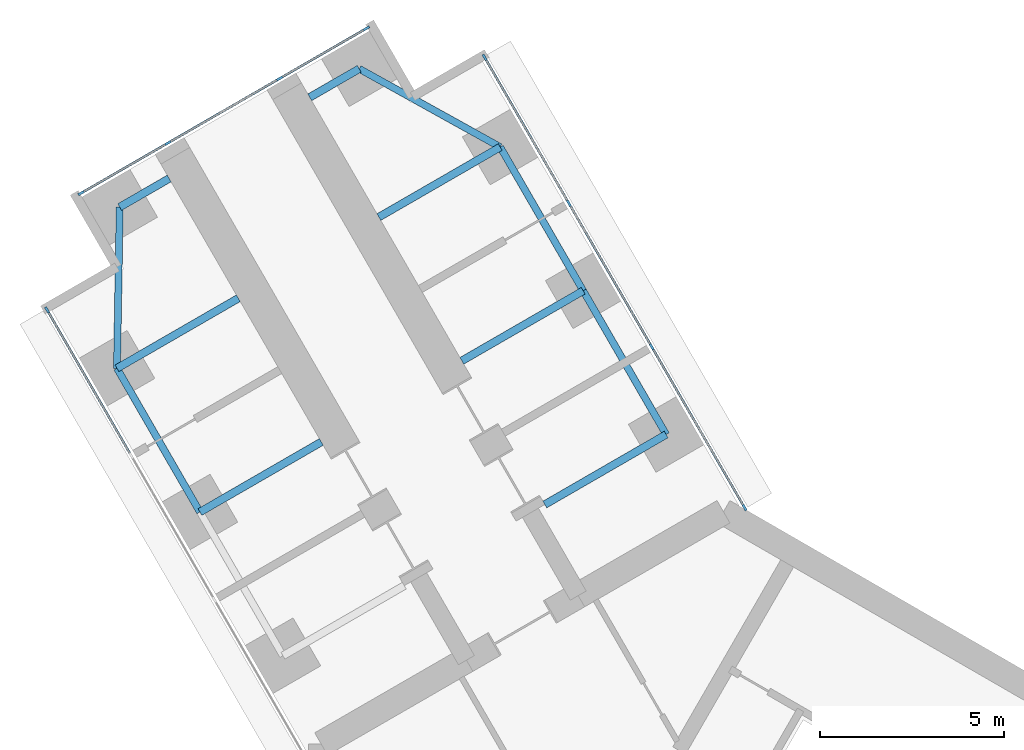
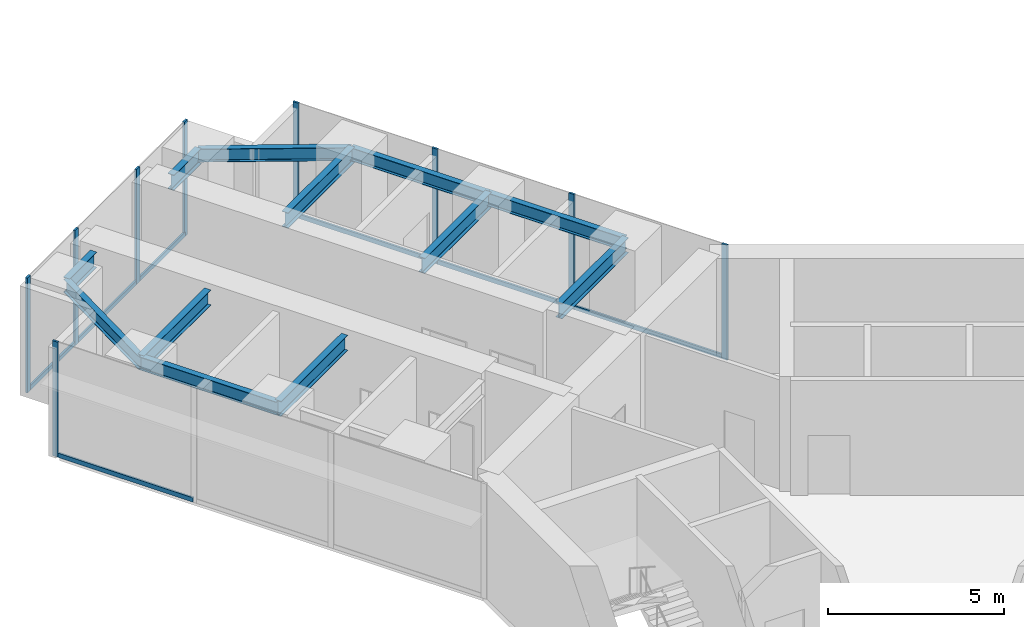
# One storey, part 7 of 22: 16 members, 12 beams, 3 elements without a shape of their own.
"""IFC4 building model written with IfcOpenShell, lengths in metres."""

from ifc_helpers import new_model, si_unit, direction, frame, origin, origin_2d, place, context, subcontext, project, spatial, rectangle, i_section, extrude, material, material_profile, profile_set, type_object, element, aggregate, save


model = new_model("IFC4")

# Units and contexts
model_context = context("Model", 3, precision=1e-05, world=origin(), true_north=direction((0.0, 1.0)))
body_context = subcontext(model_context, "Body", "Model", "MODEL_VIEW")
ifc_project = project(units=[si_unit("LENGTHUNIT", "METRE"), si_unit("AREAUNIT", "SQUARE_METRE"), si_unit("VOLUMEUNIT", "CUBIC_METRE"), si_unit("PLANEANGLEUNIT", "RADIAN"), si_unit("MASSUNIT", "GRAM", prefix="KILO")], contexts=[model_context])

# Site, building, storey
site_placement = place(None, origin())
site = spatial("IfcSite", under=ifc_project, at=site_placement, CompositionType="ELEMENT")
building_placement = place(site_placement, origin())
building = spatial("IfcBuilding", under=site, at=building_placement, Name="Upepo Twin Towers", CompositionType="ELEMENT")
storey_placement = place(building_placement, frame((0.0, 0.0, 44.5)))
storey = spatial("IfcBuildingStorey", under=building, at=storey_placement, Name="L10", CompositionType="ELEMENT", Elevation=44.5)

# Beams
ifc_material_1 = material(Name="Steel S355", Category="steel")
ifc_material_profile_1 = material_profile(ifc_material_1, i_section(OverallWidth=0.1904296875, OverallDepth=0.45703125, WebThickness=0.009033203125, FlangeThickness=0.014404296875, FilletRadius=0.01025390625, at=origin_2d()), Name="UB 457x191x74")
ifc_profile_set_1 = profile_set([ifc_material_profile_1], Name="Steel S355")
beam_type_1 = type_object("IfcBeamType", Name="Beam UB 457x191x74", PredefinedType="BEAM", material=ifc_profile_set_1)
beam_1_placement = place(storey_placement, frame((-14.196044921875, 12.58837890625, 3.571533203125), z_axis=(-0.499990139034, 0.866031096941, 0.0), x_axis=(-0.866031096941, -0.499990139034, 0.0)))
element("IfcBeam", 1, at=beam_1_placement, inside=storey, type_object=beam_type_1, Name="T1 edge beam BL 18.0-22.5", PredefinedType="BEAM", context=body_context, shape_type="SweptSolid", body=[
    extrude(i_section(OverallWidth=0.1904296875, OverallDepth=0.45703125, WebThickness=0.009033203125, FlangeThickness=0.014404296875, FilletRadius=0.01025390625, at=origin_2d()), origin(), (0.0, 0.0, 1.0), 4.5),
])
beam_2_placement = place(storey_placement, frame((-16.446044921875, 16.485595703125, 3.571533203125), z_axis=(0.016803880528, 0.999858804832, 0.0), x_axis=(-0.999858804832, 0.016803880528, 0.0)))
element("IfcBeam", 2, at=beam_2_placement, inside=storey, type_object=beam_type_1, Name="T1 nose edge beam BL", PredefinedType="BEAM", context=body_context, shape_type="SweptSolid", body=[
    extrude(i_section(OverallWidth=0.1904296875, OverallDepth=0.45703125, WebThickness=0.009033203125, FlangeThickness=0.014404296875, FilletRadius=0.01025390625, at=origin_2d()), origin(), (0.0, 0.0, 1.0), 4.373291015625),
])
beam_3_placement = place(storey_placement, frame((-1.553955078125, 14.69140625, 3.571533203125), z_axis=(-0.500013631625, 0.866017533419, 0.0), x_axis=(-0.866017533419, -0.500013631625, 0.0)))
element("IfcBeam", 3, at=beam_3_placement, inside=storey, type_object=beam_type_1, Name="T1 edge beam BR 13.5-18.0", PredefinedType="BEAM", context=body_context, shape_type="SweptSolid", body=[
    extrude(i_section(OverallWidth=0.1904296875, OverallDepth=0.45703125, WebThickness=0.009033203125, FlangeThickness=0.014404296875, FilletRadius=0.01025390625, at=origin_2d()), origin(), (0.0, 0.0, 1.0), 4.499755859375),
])
beam_4_placement = place(storey_placement, frame((-3.803955078125, 18.58837890625, 3.571533203125), z_axis=(-0.499990139034, 0.866031096941, 0.0), x_axis=(-0.866031096941, -0.499990139034, 0.0)))
element("IfcBeam", 4, at=beam_4_placement, inside=storey, type_object=beam_type_1, Name="T1 edge beam BR 18.0-22.5", PredefinedType="BEAM", context=body_context, shape_type="SweptSolid", body=[
    extrude(i_section(OverallWidth=0.1904296875, OverallDepth=0.45703125, WebThickness=0.009033203125, FlangeThickness=0.014404296875, FilletRadius=0.01025390625, at=origin_2d()), origin(), (0.0, 0.0, 1.0), 4.5),
])
beam_5_placement = place(storey_placement, frame((-6.053955078125, 22.485595703125, 3.571533203125), z_axis=(-0.874312600038, 0.485363242752, 0.0), x_axis=(-0.485363242752, -0.874312600038, 0.0)))
element("IfcBeam", 5, at=beam_5_placement, inside=storey, type_object=beam_type_1, Name="T1 nose edge beam BR", PredefinedType="BEAM", context=body_context, shape_type="SweptSolid", body=[
    extrude(i_section(OverallWidth=0.1904296875, OverallDepth=0.45703125, WebThickness=0.009033203125, FlangeThickness=0.014404296875, FilletRadius=0.01025390625, at=origin_2d()), origin(), (0.0, 0.0, 1.0), 4.373046875),
])
ifc_material_2 = material(Name="Steel S355", Category="steel")
ifc_material_profile_2 = material_profile(ifc_material_2, i_section(OverallWidth=0.2099609375, OverallDepth=0.53662109375, WebThickness=0.0107421875, FlangeThickness=0.017333984375, FilletRadius=0.0126953125, at=origin_2d()), Name="UB 533x210x101")
ifc_profile_set_2 = profile_set([ifc_material_profile_2], Name="Steel S355")
beam_type_2 = type_object("IfcBeamType", Name="Beam UB 533x210x101", PredefinedType="BEAM", material=ifc_profile_set_2)
for number, where, z_axis, x_axis, name in (
    (6, (-16.37255859375, 20.858154296875, 3.53173828125), (0.866043940782, 0.499967891604, 0.0), (-0.499967891604, 0.866043940782, 0.0), "T1 nose beam BL"),
    (7, (-9.87744140625, 24.608154296875, 3.53173828125), (-0.866043940782, -0.499967891604, 0.0), (0.499967891604, -0.866043940782, 0.0), "T1 nose beam BR"),
):
    element("IfcBeam", number, at=place(storey_placement, frame(where, z_axis=z_axis, x_axis=x_axis)), inside=storey, type_object=beam_type_2, Name=name, PredefinedType="BEAM", context=body_context, shape_type="SweptSolid", body=[
        extrude(i_section(OverallWidth=0.2099609375, OverallDepth=0.53662109375, WebThickness=0.0107421875, FlangeThickness=0.017333984375, FilletRadius=0.0126953125, at=origin_2d()), origin(), (0.0, 0.0, 1.0), 1.5498046875),
    ])
ifc_material_3 = material(Name="Steel S355", Category="steel")
ifc_material_profile_3 = material_profile(ifc_material_3, i_section(OverallWidth=0.209228515625, OverallDepth=0.533203125, WebThickness=0.010009765625, FlangeThickness=0.015625, FilletRadius=0.0126953125, at=origin_2d()), Name="UB 533x210x92")
ifc_profile_set_3 = profile_set([ifc_material_profile_3], Name="Steel S355")
beam_type_3 = type_object("IfcBeamType", Name="Beam UB 533x210x92", PredefinedType="BEAM", material=ifc_profile_set_3)
beam_6_placement = place(storey_placement, frame((-14.196044921875, 12.58837890625, 3.533447265625), z_axis=(0.866000483506, 0.500043160704, 0.0), x_axis=(-0.500043160704, 0.866000483506, 0.0)))
element("IfcBeam", 8, at=beam_6_placement, inside=storey, type_object=beam_type_3, Name="T1 girder BL at 18.0", PredefinedType="BEAM", context=body_context, shape_type="SweptSolid", body=[
    extrude(i_section(OverallWidth=0.209228515625, OverallDepth=0.533203125, WebThickness=0.010009765625, FlangeThickness=0.015625, FilletRadius=0.0126953125, at=origin_2d()), origin(), (0.0, 0.0, 1.0), 3.800048828125),
])
beam_7_placement = place(storey_placement, frame((-16.446044921875, 16.485595703125, 3.533447265625), z_axis=(0.866028304915, 0.499994975061, 0.0), x_axis=(-0.499994975061, 0.866028304915, 0.0)))
element("IfcBeam", 9, at=beam_7_placement, inside=storey, type_object=beam_type_3, Name="T1 girder BL at 22.5", PredefinedType="BEAM", context=body_context, shape_type="SweptSolid", body=[
    extrude(i_section(OverallWidth=0.209228515625, OverallDepth=0.533203125, WebThickness=0.010009765625, FlangeThickness=0.015625, FilletRadius=0.0126953125, at=origin_2d()), origin(), (0.0, 0.0, 1.0), 3.7998046875),
])
beam_8_placement = place(storey_placement, frame((-1.553955078125, 14.69140625, 3.533447265625), z_axis=(-0.866000483506, -0.500043160704, 0.0), x_axis=(0.500043160704, -0.866000483506, 0.0)))
element("IfcBeam", 10, at=beam_8_placement, inside=storey, type_object=beam_type_3, Name="T1 girder BR at 13.5", PredefinedType="BEAM", context=body_context, shape_type="SweptSolid", body=[
    extrude(i_section(OverallWidth=0.209228515625, OverallDepth=0.533203125, WebThickness=0.010009765625, FlangeThickness=0.015625, FilletRadius=0.0126953125, at=origin_2d()), origin(), (0.0, 0.0, 1.0), 3.800048828125),
])
for number, where, z_axis, x_axis, name in (
    (11, (-3.803955078125, 18.58837890625, 3.533447265625), (-0.866028304915, -0.499994975061, 0.0), (0.499994975061, -0.866028304915, 0.0), "T1 girder BR at 18.0"),
    (12, (-6.053955078125, 22.485595703125, 3.533447265625), (-0.866028304915, -0.499994975061, 0.0), (0.499994975061, -0.866028304915, 0.0), "T1 girder BR at 22.5"),
):
    element("IfcBeam", number, at=place(storey_placement, frame(where, z_axis=z_axis, x_axis=x_axis)), inside=storey, type_object=beam_type_3, Name=name, PredefinedType="BEAM", context=body_context, shape_type="SweptSolid", body=[
        extrude(i_section(OverallWidth=0.209228515625, OverallDepth=0.533203125, WebThickness=0.010009765625, FlangeThickness=0.015625, FilletRadius=0.0126953125, at=origin_2d()), origin(), (0.0, 0.0, 1.0), 3.7998046875),
    ])

# Curtain wall, member
ifc_material_4 = material(Name="Aluminium and fritted glass", Category="aluminium")
curtain_wall_type = type_object("IfcCurtainWallType", Name="Tower curtain wall TW1, fritted glass", PredefinedType="NOTDEFINED", material=ifc_material_4)
curtain_wall_1_placement = place(storey_placement, origin())
curtain_wall_1 = element("IfcCurtainWall", 13, at=curtain_wall_1_placement, inside=storey, type_object=curtain_wall_type, Name="T1 L10 wing B flank L curtain wall", PredefinedType="NOTDEFINED")
ifc_material_5 = material(Name="Aluminium mullion", Category="aluminium")
ifc_material_profile_4 = material_profile(ifc_material_5, rectangle(XDim=0.06494140625, YDim=0.179931640625, at=origin_2d()), Name="MULLION 65x180")
ifc_profile_set_4 = profile_set([ifc_material_profile_4], Name="Aluminium mullion")
member_type_1 = type_object("IfcMemberType", Name="Mullion 65x180 TW1", PredefinedType="MULLION", material=ifc_profile_set_4)
member_1_placement = place(storey_placement, frame((-18.341064453125, 18.067626953125, 0.0), z_axis=(0.0, 0.0, 1.0), x_axis=(-0.866025389682, -0.500000024426, 0.0)))
member_1 = element("IfcMember", 14, at=member_1_placement, type_object=member_type_1, Name="T1 L10 wing B flank L curtain wall mullion 4", PredefinedType="MULLION", context=body_context, shape_type="SweptSolid", body=[
    extrude(rectangle(XDim=0.06494140625, YDim=0.179931640625, at=origin_2d()), origin(), (0.0, 0.0, 1.0), 4.0),
])

# Curtain wall, members
curtain_wall_2_placement = place(storey_placement, origin())
curtain_wall_2 = element("IfcCurtainWall", 15, at=curtain_wall_2_placement, inside=storey, type_object=curtain_wall_type, Name="T1 L10 wing B flank R curtain wall", PredefinedType="NOTDEFINED")
member_2_placement = place(storey_placement, frame((-6.4765625, 24.91748046875, 0.0), z_axis=(0.0, 0.0, 1.0), x_axis=(0.866025389682, 0.500000024426, 0.0)))
member_2 = element("IfcMember", 16, at=member_2_placement, type_object=member_type_1, Name="T1 L10 wing B flank R curtain wall mullion 1", PredefinedType="MULLION", context=body_context, shape_type="SweptSolid", body=[
    extrude(rectangle(XDim=0.06494140625, YDim=0.179931640625, at=origin_2d()), origin(), (0.0, 0.0, 1.0), 4.0),
])
member_3_placement = place(storey_placement, frame((-4.192626953125, 20.9619140625, 0.0), z_axis=(0.0, 0.0, 1.0), x_axis=(0.866025389682, 0.500000024426, 0.0)))
member_3 = element("IfcMember", 17, at=member_3_placement, type_object=member_type_1, Name="T1 L10 wing B flank R curtain wall mullion 2", PredefinedType="MULLION", context=body_context, shape_type="SweptSolid", body=[
    extrude(rectangle(XDim=0.06494140625, YDim=0.179931640625, at=origin_2d()), origin(), (0.0, 0.0, 1.0), 4.0),
])
member_4_placement = place(storey_placement, frame((-1.942626953125, 17.06494140625, 0.0), z_axis=(0.0, 0.0, 1.0), x_axis=(0.866025389682, 0.500000024426, 0.0)))
member_4 = element("IfcMember", 18, at=member_4_placement, type_object=member_type_1, Name="T1 L10 wing B flank R curtain wall mullion 3", PredefinedType="MULLION", context=body_context, shape_type="SweptSolid", body=[
    extrude(rectangle(XDim=0.06494140625, YDim=0.179931640625, at=origin_2d()), origin(), (0.0, 0.0, 1.0), 4.0),
])
member_5_placement = place(storey_placement, frame((0.572509765625, 12.70849609375, 0.0), z_axis=(0.0, 0.0, 1.0), x_axis=(0.866025389682, 0.500000024426, 0.0)))
member_5 = element("IfcMember", 19, at=member_5_placement, type_object=member_type_1, Name="T1 L10 wing B flank R curtain wall mullion 4", PredefinedType="MULLION", context=body_context, shape_type="SweptSolid", body=[
    extrude(rectangle(XDim=0.06494140625, YDim=0.179931640625, at=origin_2d()), origin(), (0.0, 0.0, 1.0), 4.0),
])

curtain_wall_3_placement = place(storey_placement, origin())
curtain_wall_3 = element("IfcCurtainWall", 20, at=curtain_wall_3_placement, inside=storey, type_object=curtain_wall_type, Name="T1 L10 wing B nose curtain wall", PredefinedType="NOTDEFINED")
member_6_placement = place(storey_placement, frame((-9.68115234375, 25.703125, 0.0), z_axis=(0.0, 0.0, 1.0), x_axis=(0.500000030502, -0.866025386174, 0.0)))
member_6 = element("IfcMember", 21, at=member_6_placement, type_object=member_type_1, Name="T1 L10 wing B nose curtain wall mullion 1", PredefinedType="MULLION", context=body_context, shape_type="SweptSolid", body=[
    extrude(rectangle(XDim=0.06494140625, YDim=0.179931640625, at=origin_2d()), origin(), (0.0, 0.0, 1.0), 4.0),
])
member_7_placement = place(storey_placement, frame((-12.034423828125, 24.34423828125, 0.0), z_axis=(0.0, 0.0, 1.0), x_axis=(0.500000030502, -0.866025386174, 0.0)))
member_7 = element("IfcMember", 22, at=member_7_placement, type_object=member_type_1, Name="T1 L10 wing B nose curtain wall mullion 2", PredefinedType="MULLION", context=body_context, shape_type="SweptSolid", body=[
    extrude(rectangle(XDim=0.06494140625, YDim=0.179931640625, at=origin_2d()), origin(), (0.0, 0.0, 1.0), 4.0),
])
member_8_placement = place(storey_placement, frame((-15.0654296875, 22.59423828125, 0.0), z_axis=(0.0, 0.0, 1.0), x_axis=(0.500000030502, -0.866025386174, 0.0)))
member_8 = element("IfcMember", 23, at=member_8_placement, type_object=member_type_1, Name="T1 L10 wing B nose curtain wall mullion 3", PredefinedType="MULLION", context=body_context, shape_type="SweptSolid", body=[
    extrude(rectangle(XDim=0.06494140625, YDim=0.179931640625, at=origin_2d()), origin(), (0.0, 0.0, 1.0), 4.0),
])
member_9_placement = place(storey_placement, frame((-17.4189453125, 21.235595703125, 0.0), z_axis=(0.0, 0.0, 1.0), x_axis=(0.500000030502, -0.866025386174, 0.0)))
member_9 = element("IfcMember", 24, at=member_9_placement, type_object=member_type_1, Name="T1 L10 wing B nose curtain wall mullion 4", PredefinedType="MULLION", context=body_context, shape_type="SweptSolid", body=[
    extrude(rectangle(XDim=0.06494140625, YDim=0.179931640625, at=origin_2d()), origin(), (0.0, 0.0, 1.0), 4.0),
])

# Member
ifc_material_6 = material(Name="Aluminium transom", Category="aluminium")
ifc_material_profile_5 = material_profile(ifc_material_6, rectangle(XDim=0.06494140625, YDim=0.14990234375, at=origin_2d()), Name="TRANSOM 65x150")
ifc_profile_set_5 = profile_set([ifc_material_profile_5], Name="Aluminium transom")
member_type_2 = type_object("IfcMemberType", Name="Transom 65x150 TW1", PredefinedType="USERDEFINED", material=ifc_profile_set_5)
member_10_placement = place(storey_placement, frame((-16.073486328125, 14.14013671875, 0.074951171875), z_axis=(-0.499982167615, 0.866035699072, 0.0), x_axis=(-0.866035699072, -0.499982167615, 0.0)))
member_10 = element("IfcMember", 25, at=member_10_placement, type_object=member_type_2, Name="T1 L10 wing B flank L curtain wall transom 3", ObjectType="TRANSOM", PredefinedType="USERDEFINED", context=body_context, shape_type="SweptSolid", body=[
    extrude(rectangle(XDim=0.06494140625, YDim=0.14990234375, at=origin_2d()), origin(), (0.0, 0.0, 1.0), 4.502685546875),
])

aggregate(curtain_wall_1, [member_1, member_10])

member_11_placement = place(storey_placement, frame((-6.460205078125, 24.889404296875, 0.074951171875), z_axis=(0.500005646842, -0.866022143554, 0.0), x_axis=(0.866022143554, 0.500005646842, 0.0)))
member_11 = element("IfcMember", 26, at=member_11_placement, type_object=member_type_2, Name="T1 L10 wing B flank R curtain wall transom 1", ObjectType="TRANSOM", PredefinedType="USERDEFINED", context=body_context, shape_type="SweptSolid", body=[
    extrude(rectangle(XDim=0.06494140625, YDim=0.14990234375, at=origin_2d()), origin(), (0.0, 0.0, 1.0), 4.50244140625),
])

member_12_placement = place(storey_placement, frame((-4.176513671875, 20.933837890625, 0.074951171875), z_axis=(0.500005184116, -0.866022410713, 0.0), x_axis=(0.866022410713, 0.500005184116, 0.0)))
member_12 = element("IfcMember", 27, at=member_12_placement, type_object=member_type_2, Name="T1 L10 wing B flank R curtain wall transom 2", ObjectType="TRANSOM", PredefinedType="USERDEFINED", context=body_context, shape_type="SweptSolid", body=[
    extrude(rectangle(XDim=0.06494140625, YDim=0.14990234375, at=origin_2d()), origin(), (0.0, 0.0, 1.0), 4.43505859375),
])

member_13_placement = place(storey_placement, frame((-1.926513671875, 17.036865234375, 0.074951171875), z_axis=(0.499983492876, -0.866034933967, 0.0), x_axis=(0.866034933967, 0.499983492876, 0.0)))
member_13 = element("IfcMember", 28, at=member_13_placement, type_object=member_type_2, Name="T1 L10 wing B flank R curtain wall transom 3", ObjectType="TRANSOM", PredefinedType="USERDEFINED", context=body_context, shape_type="SweptSolid", body=[
    extrude(rectangle(XDim=0.06494140625, YDim=0.14990234375, at=origin_2d()), origin(), (0.0, 0.0, 1.0), 4.965576171875),
])

aggregate(curtain_wall_2, [member_2, member_3, member_4, member_5, member_11, member_12, member_13])

member_14_placement = place(storey_placement, frame((-9.709228515625, 25.686767578125, 0.074951171875), z_axis=(-0.866036909293, -0.499980071345, 0.0), x_axis=(0.499980071345, -0.866036909293, 0.0)))
member_14 = element("IfcMember", 29, at=member_14_placement, type_object=member_type_2, Name="T1 L10 wing B nose curtain wall transom 1", ObjectType="TRANSOM", PredefinedType="USERDEFINED", context=body_context, shape_type="SweptSolid", body=[
    extrude(rectangle(XDim=0.06494140625, YDim=0.14990234375, at=origin_2d()), origin(), (0.0, 0.0, 1.0), 2.65234375),
])

member_15_placement = place(storey_placement, frame((-12.0625, 24.328125, 0.074951171875), z_axis=(-0.866025804792, -0.499999305434, 0.0), x_axis=(0.499999305434, -0.866025804792, 0.0)))
member_15 = element("IfcMember", 30, at=member_15_placement, type_object=member_type_2, Name="T1 L10 wing B nose curtain wall transom 2", ObjectType="TRANSOM", PredefinedType="USERDEFINED", context=body_context, shape_type="SweptSolid", body=[
    extrude(rectangle(XDim=0.06494140625, YDim=0.14990234375, at=origin_2d()), origin(), (0.0, 0.0, 1.0), 3.43505859375),
])

member_16_placement = place(storey_placement, frame((-15.09375, 22.578125, 0.074951171875), z_axis=(-0.865997053448, -0.500049101008, 0.0), x_axis=(0.500049101008, -0.865997053448, 0.0)))
member_16 = element("IfcMember", 31, at=member_16_placement, type_object=member_type_2, Name="T1 L10 wing B nose curtain wall transom 3", ObjectType="TRANSOM", PredefinedType="USERDEFINED", context=body_context, shape_type="SweptSolid", body=[
    extrude(rectangle(XDim=0.06494140625, YDim=0.14990234375, at=origin_2d()), origin(), (0.0, 0.0, 1.0), 2.652587890625),
])

aggregate(curtain_wall_3, [member_6, member_7, member_8, member_9, member_14, member_15, member_16])

save(model, "model.ifc")
